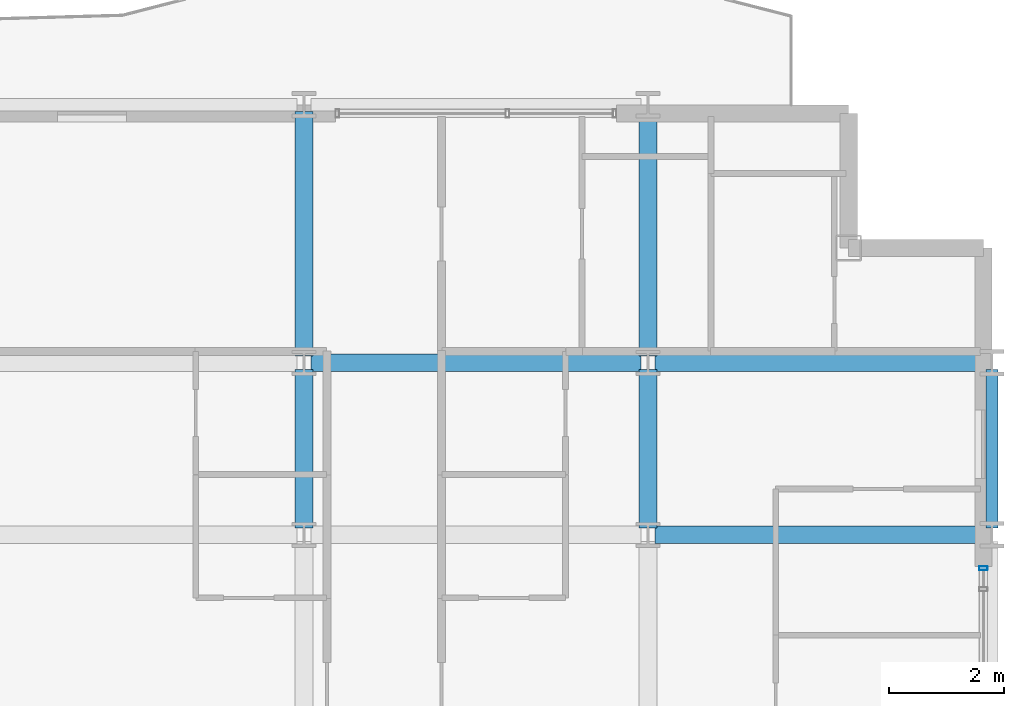
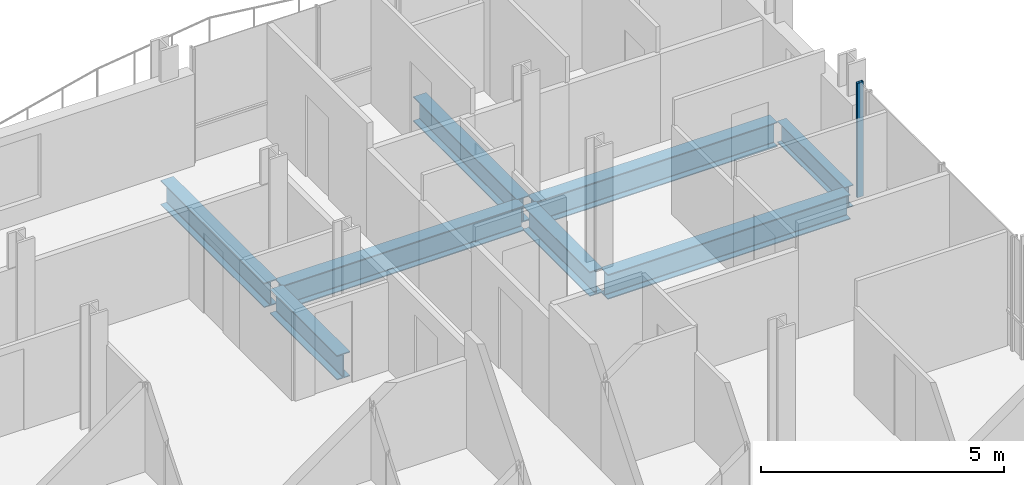
# One storey, part 20 of 40: 8 beams, 1 member, 1 element without a shape of its own.
"""IFC4 building model written with IfcOpenShell, lengths in metres."""

from ifc_helpers import new_model, si_unit, direction, frame, origin, origin_2d, place, context, subcontext, project, spatial, hollow_rectangle, i_section, extrude, material, layer, layer_set, material_profile, profile_set, type_object, element, aggregate, save


model = new_model("IFC4")

# Units and contexts
model_context = context("Model", 3, precision=1e-05, world=origin(), true_north=direction((0.0, 1.0)))
body_context = subcontext(model_context, "Body", "Model", "MODEL_VIEW")
ifc_project = project(units=[si_unit("LENGTHUNIT", "METRE"), si_unit("AREAUNIT", "SQUARE_METRE"), si_unit("VOLUMEUNIT", "CUBIC_METRE"), si_unit("PLANEANGLEUNIT", "RADIAN"), si_unit("MASSUNIT", "GRAM", prefix="KILO")], contexts=[model_context])

# Site, building, storey
site_placement = place(None, origin())
site = spatial("IfcSite", under=ifc_project, at=site_placement, CompositionType="ELEMENT")
building_placement = place(site_placement, origin())
building = spatial("IfcBuilding", under=site, at=building_placement, Name="Brevholm Reach", CompositionType="ELEMENT")
storey_placement = place(building_placement, frame((0.0, 0.0, 80.699951171875)))
storey = spatial("IfcBuildingStorey", under=building, at=storey_placement, Name="L23", CompositionType="ELEMENT", Elevation=80.699951171875)

# Beams
ifc_material_1 = material(Name="Structural Steel S355J2", Category="steel")
ifc_material_profile_1 = material_profile(ifc_material_1, i_section(OverallWidth=0.210693359375, OverallDepth=0.53955078125, WebThickness=0.01171875, FlangeThickness=0.018798828125, FilletRadius=0.0126953125, at=origin_2d()), Name="UKB 533x210x109")
ifc_profile_set_1 = profile_set([ifc_material_profile_1], Name="Structural Steel S355J2")
beam_type_1 = type_object("IfcBeamType", Name="BM-SP539", PredefinedType="SPANDREL", material=ifc_profile_set_1)
beam_1_placement = place(storey_placement, frame((60.0, 23.6201171875, -0.499755859375), z_axis=(0.0, 1.0, 0.0), x_axis=(-1.0, 0.0, 0.0)))
element("IfcBeam", 1, at=beam_1_placement, inside=storey, type_object=beam_type_1, Name="L23 SP-01B Framing Beam", PredefinedType="SPANDREL", context=body_context, shape_type="SweptSolid", body=[
    extrude(i_section(OverallWidth=0.210693359375, OverallDepth=0.53955078125, WebThickness=0.01171875, FlangeThickness=0.018798828125, FilletRadius=0.0126953125, at=origin_2d()), origin(), (0.0, 0.0, 1.0), 2.759765625),
])
ifc_material_2 = material(Name="Structural Steel S355J2", Category="steel")
ifc_material_profile_2 = material_profile(ifc_material_2, i_section(OverallWidth=0.30712890625, OverallDepth=0.6201171875, WebThickness=0.01416015625, FlangeThickness=0.023681640625, FilletRadius=0.0166015625, at=origin_2d()), Name="UKB 610x305x179")
ifc_profile_set_2 = profile_set([ifc_material_profile_2], Name="Structural Steel S355J2")
beam_type_2 = type_object("IfcBeamType", Name="BM-UKB610H", PredefinedType="USERDEFINED", material=ifc_profile_set_2)
for number, where, z_axis, x_axis, name in (
    (2, (54.1201171875, 23.5, -0.5400390625), (1.0, 0.0, 0.0), (0.0, 1.0, 0.0), "L23 G-06 Framing Beam"),
    (3, (48.1201171875, 26.5, -0.5400390625), (1.0, 0.0, 0.0), (0.0, 1.0, 0.0), "L23 G-06 Framing Beam"),
    (4, (54.1201171875, 26.5, -0.5400390625), (1.0, 0.0, 0.0), (0.0, 1.0, 0.0), "L23 G-06 Framing Beam"),
):
    element("IfcBeam", number, at=place(storey_placement, frame(where, z_axis=z_axis, x_axis=x_axis)), inside=storey, type_object=beam_type_2, Name=name, ObjectType="GIRDER", PredefinedType="USERDEFINED", context=body_context, shape_type="SweptSolid", body=[
        extrude(i_section(OverallWidth=0.30712890625, OverallDepth=0.6201171875, WebThickness=0.01416015625, FlangeThickness=0.023681640625, FilletRadius=0.0166015625, at=origin_2d()), origin(), (0.0, 0.0, 1.0), 5.759765625),
    ])
beam_2_placement = place(storey_placement, frame((48.0, 23.6201171875, -0.5400390625), z_axis=(0.0, 1.0, 0.0), x_axis=(-1.0, 0.0, 0.0)))
element("IfcBeam", 5, at=beam_2_placement, inside=storey, type_object=beam_type_2, Name="L23 G-06 Framing Beam", ObjectType="GIRDER", PredefinedType="USERDEFINED", context=body_context, shape_type="SweptSolid", body=[
    extrude(i_section(OverallWidth=0.30712890625, OverallDepth=0.6201171875, WebThickness=0.01416015625, FlangeThickness=0.023681640625, FilletRadius=0.0166015625, at=origin_2d()), origin(), (0.0, 0.0, 1.0), 2.759765625),
])
beam_3_placement = place(storey_placement, frame((48.0, 26.6201171875, -0.5400390625), z_axis=(0.0, 1.0, 0.0), x_axis=(-1.0, 0.0, 0.0)))
element("IfcBeam", 6, at=beam_3_placement, inside=storey, type_object=beam_type_2, Name="L23 G-06 Framing Beam", ObjectType="GIRDER", PredefinedType="USERDEFINED", context=body_context, shape_type="SweptSolid", body=[
    extrude(i_section(OverallWidth=0.30712890625, OverallDepth=0.6201171875, WebThickness=0.01416015625, FlangeThickness=0.023681640625, FilletRadius=0.0166015625, at=origin_2d()), origin(), (0.0, 0.0, 1.0), 4.259765625),
])
beam_4_placement = place(storey_placement, frame((54.0, 23.6201171875, -0.5400390625), z_axis=(0.0, 1.0, 0.0), x_axis=(-1.0, 0.0, 0.0)))
element("IfcBeam", 7, at=beam_4_placement, inside=storey, type_object=beam_type_2, Name="L23 G-06 Framing Beam", ObjectType="GIRDER", PredefinedType="USERDEFINED", context=body_context, shape_type="SweptSolid", body=[
    extrude(i_section(OverallWidth=0.30712890625, OverallDepth=0.6201171875, WebThickness=0.01416015625, FlangeThickness=0.023681640625, FilletRadius=0.0166015625, at=origin_2d()), origin(), (0.0, 0.0, 1.0), 2.759765625),
])
beam_5_placement = place(storey_placement, frame((54.0, 26.6201171875, -0.5400390625), z_axis=(0.0, 1.0, 0.0), x_axis=(-1.0, 0.0, 0.0)))
element("IfcBeam", 8, at=beam_5_placement, inside=storey, type_object=beam_type_2, Name="L23 G-06 Framing Beam", ObjectType="GIRDER", PredefinedType="USERDEFINED", context=body_context, shape_type="SweptSolid", body=[
    extrude(i_section(OverallWidth=0.30712890625, OverallDepth=0.6201171875, WebThickness=0.01416015625, FlangeThickness=0.023681640625, FilletRadius=0.0166015625, at=origin_2d()), origin(), (0.0, 0.0, 1.0), 4.259765625),
])

# Curtain wall, member
ifc_material_3 = material(Name="Dark Anodised Aluminium 6063-T6 and Solar-Control Glass", Category="aluminium")
ifc_layer = layer(ifc_material_3, 0.14990234375)
ifc_layer_set = layer_set([ifc_layer], Name="Dark Anodised Aluminium 6063-T6 and Solar-Control Glass")
curtain_wall_type = type_object("IfcCurtainWallType", Name="CW-01", PredefinedType="NOTDEFINED", material=ifc_layer_set)
curtain_wall_placement = place(storey_placement, origin())
curtain_wall = element("IfcCurtainWall", 9, at=curtain_wall_placement, inside=storey, type_object=curtain_wall_type, Name="L23 Curtain Wall CW-01", PredefinedType="NOTDEFINED")
ifc_material_4 = material(Name="Dark Anodised Aluminium 6063-T6", Category="aluminium")
ifc_material_profile_3 = material_profile(ifc_material_4, hollow_rectangle(XDim=0.06494140625, YDim=0.14990234375, WallThickness=0.0048828125, InnerFilletRadius=0.0048828125, OuterFilletRadius=0.010009765625, at=origin_2d()), Name="RHS 150x65x5")
ifc_profile_set_3 = profile_set([ifc_material_profile_3], Name="Dark Anodised Aluminium 6063-T6")
member_type = type_object("IfcMemberType", Name="CWM-150", PredefinedType="MULLION", material=ifc_profile_set_3)
member_placement = place(storey_placement, frame((59.85009765625, 22.91748046875, 0.0), z_axis=(0.0, 0.0, 1.0), x_axis=(0.0, 1.0, 0.0)))
member = element("IfcMember", 10, at=member_placement, type_object=member_type, Name="CM-150 Mullion 6", PredefinedType="MULLION", context=body_context, shape_type="SweptSolid", body=[
    extrude(hollow_rectangle(XDim=0.06494140625, YDim=0.14990234375, WallThickness=0.0048828125, InnerFilletRadius=0.0048828125, OuterFilletRadius=0.010009765625, at=origin_2d()), origin(), (0.0, 0.0, 1.0), 2.8701171875),
])
aggregate(curtain_wall, [member])

save(model, "model.ifc")
